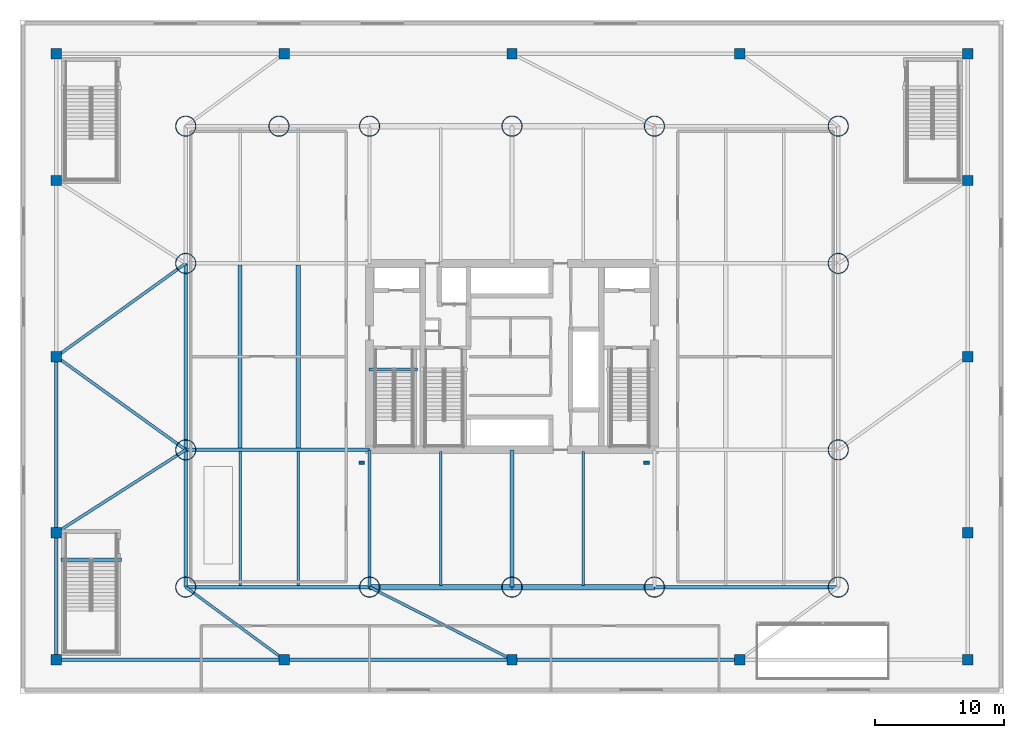
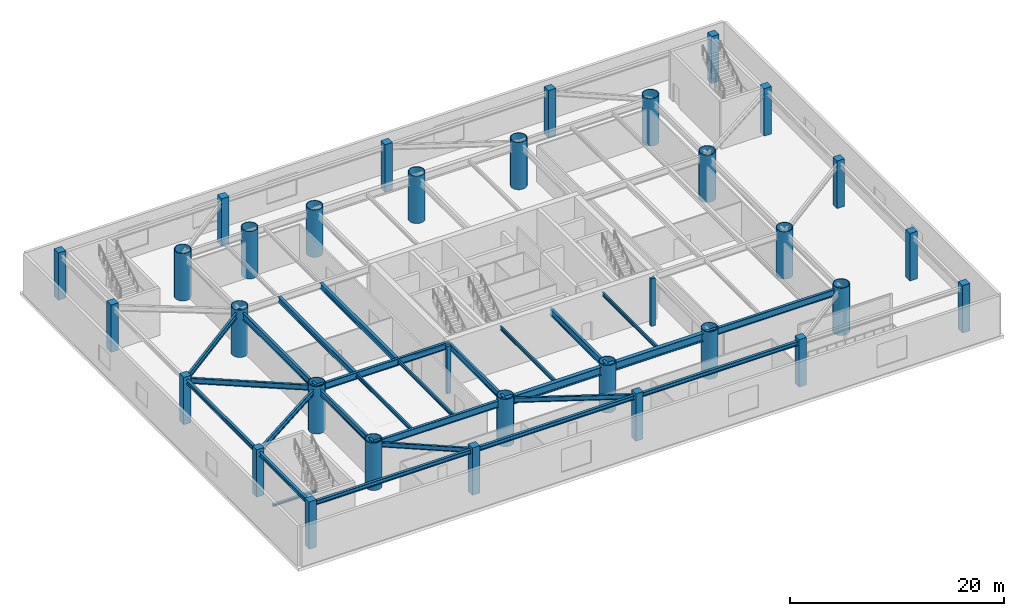
# One storey, part 1 of 16: 33 columns, 27 beams.
"""IFC4 building model written with IfcOpenShell, lengths in metres."""

from ifc_helpers import new_model, si_unit, direction, frame, origin, origin_2d, place, context, subcontext, project, spatial, rectangle, hollow_circle, i_section, extrude, material, material_profile, profile_set, type_object, element, save


model = new_model("IFC4")

# Units and contexts
model_context = context("Model", 3, precision=1e-05, world=origin(), true_north=direction((0.0, 1.0)))
body_context = subcontext(model_context, "Body", "Model", "MODEL_VIEW")
ifc_project = project(units=[si_unit("LENGTHUNIT", "METRE"), si_unit("AREAUNIT", "SQUARE_METRE"), si_unit("VOLUMEUNIT", "CUBIC_METRE"), si_unit("PLANEANGLEUNIT", "RADIAN"), si_unit("MASSUNIT", "GRAM", prefix="KILO")], contexts=[model_context])

# Site, building, storey
site_placement = place(None, origin())
site = spatial("IfcSite", under=ifc_project, at=site_placement, CompositionType="ELEMENT")
building_placement = place(site_placement, origin())
building = spatial("IfcBuilding", under=site, at=building_placement, Name="Bramvorn Convention Spire", CompositionType="ELEMENT")
storey_placement = place(building_placement, frame((0.0, 0.0, 6.60009765625)))
storey = spatial("IfcBuildingStorey", under=building, at=storey_placement, Name="L01", CompositionType="ELEMENT", Elevation=6.60009765625)

# Columns
ifc_material_1 = material(Name="Steel CSA G40.21 Grade 350 (350W)", Category="steel")
ifc_material_profile_1 = material_profile(ifc_material_1, hollow_circle(Radius=0.800048828125, WallThickness=0.06005859375, at=origin_2d()))
ifc_profile_set_1 = profile_set([ifc_material_profile_1], Name="Steel CSA G40.21 Grade 350 (350W) - CFT1600X60")
column_type_1 = type_object("IfcColumnType", Name="COL-CFT1600X60", PredefinedType="COLUMN", material=ifc_profile_set_1)
for number, where, z_axis, x_axis, name in (
    (1, (12.800048828125, 8.199951171875, 0.0), (0.0, 0.0, 1.0), (1.0, 0.0, 0.0), "L01 podium transfer mega-column PR01"),
    (2, (27.0, 8.199951171875, 0.0), (0.0, 0.0, 1.0), (1.0, 0.0, 0.0), "L01 podium transfer mega-column PR02"),
    (3, (38.0, 8.199951171875, 0.0), (0.0, 0.0, 1.0), (1.0, 0.0, 0.0), "L01 podium transfer mega-column PR13"),
    (4, (49.0, 8.199951171875, 0.0), (0.0, 0.0, 1.0), (1.0, 0.0, 0.0), "L01 podium transfer mega-column PR03"),
    (5, (63.199951171875, 8.199951171875, 0.0), (0.0, 0.0, 1.0), (1.0, 0.0, 0.0), "L01 podium transfer mega-column PR04"),
    (6, (12.800048828125, 18.800048828125, 0.0), (0.0, 0.0, 1.0), (1.0, 0.0, 0.0), "L01 podium transfer mega-column PR05"),
    (7, (63.199951171875, 18.800048828125, 0.0), (0.0, 0.0, 1.0), (1.0, 0.0, 0.0), "L01 podium transfer mega-column PR06"),
    (8, (12.800048828125, 33.199951171875, 0.0), (0.0, 0.0, 1.0), (1.0, 0.0, 0.0), "L01 podium transfer mega-column PR07"),
    (9, (63.199951171875, 33.199951171875, 0.0), (0.0, 0.0, 1.0), (1.0, 0.0, 0.0), "L01 podium transfer mega-column PR08"),
    (10, (12.800048828125, 43.800048828125, 0.0), (0.0, 0.0, 1.0), (1.0, 0.0, 0.0), "L01 podium transfer mega-column PR09"),
    (11, (20.0, 43.800048828125, 0.0), (0.0, 0.0, 1.0), (1.0, 0.0, 0.0), "L01 podium transfer mega-column PR15"),
    (12, (27.0, 43.800048828125, 0.0), (0.0, 0.0, 1.0), (1.0, 0.0, 0.0), "L01 podium transfer mega-column PR10"),
    (13, (38.0, 43.800048828125, 0.0), (0.0, 0.0, 1.0), (1.0, 0.0, 0.0), "L01 podium transfer mega-column PR14"),
    (14, (49.0, 43.800048828125, 0.0), (0.0, 0.0, 1.0), (1.0, 0.0, 0.0), "L01 podium transfer mega-column PR11"),
    (15, (63.199951171875, 43.800048828125, 0.0), (0.0, 0.0, 1.0), (1.0, 0.0, 0.0), "L01 podium transfer mega-column PR12"),
):
    element("IfcColumn", number, at=place(storey_placement, frame(where, z_axis=z_axis, x_axis=x_axis)), inside=storey, type_object=column_type_1, Name=name, PredefinedType="COLUMN", context=body_context, shape_type="SweptSolid", body=[
        extrude(hollow_circle(Radius=0.800048828125, WallThickness=0.06005859375, at=origin_2d()), origin(), (0.0, 0.0, 1.0), 5.39990234375),
    ])
ifc_material_2 = material(Name="Concrete C40/50 Precast Limestone Pilaster", Category="masonry")
ifc_material_profile_2 = material_profile(ifc_material_2, rectangle(XDim=0.449951171875, YDim=0.300048828125, at=origin_2d()))
ifc_profile_set_2 = profile_set([ifc_material_profile_2], Name="Concrete C40/50 Precast Limestone Pilaster - PILASTER450X300")
column_type_2 = type_object("IfcColumnType", Name="COL-PILASTER-450", PredefinedType="PILASTER", material=ifc_profile_set_2)
for number, where, z_axis, x_axis, name in (
    (16, (26.39990234375, 17.800048828125, 0.0), (0.0, 0.0, 1.0), (1.0, 0.0, 0.0), "L01 Foyer architectural pilaster 1"),
    (17, (48.39990234375, 17.800048828125, 0.0), (0.0, 0.0, 1.0), (1.0, 0.0, 0.0), "L01 Foyer architectural pilaster 2"),
):
    element("IfcColumn", number, at=place(storey_placement, frame(where, z_axis=z_axis, x_axis=x_axis)), inside=storey, type_object=column_type_2, Name=name, PredefinedType="PILASTER", context=body_context, shape_type="SweptSolid", body=[
        extrude(rectangle(XDim=0.449951171875, YDim=0.300048828125, at=origin_2d()), origin(), (0.0, 0.0, 1.0), 5.39990234375),
    ])
ifc_material_3 = material(Name="Concrete C60/70", Category="concrete")
ifc_material_profile_3 = material_profile(ifc_material_3, rectangle(XDim=0.800048828125, YDim=0.800048828125, at=origin_2d()))
ifc_profile_set_3 = profile_set([ifc_material_profile_3], Name="Concrete C60/70 - RC800X800")
column_type_3 = type_object("IfcColumnType", Name="COL-RC800X800", PredefinedType="COLUMN", material=ifc_profile_set_3)
for number, where, z_axis, x_axis, name in (
    (18, (2.800048828125, 2.60009765625, 0.0), (0.0, 0.0, 1.0), (1.0, 0.0, 0.0), "L01 podium perimeter column PC01"),
    (19, (2.800048828125, 12.39990234375, 0.0), (0.0, 0.0, 1.0), (1.0, 0.0, 0.0), "L01 podium perimeter column PC02"),
    (20, (2.800048828125, 26.0, 0.0), (0.0, 0.0, 1.0), (1.0, 0.0, 0.0), "L01 podium perimeter column PC03"),
    (21, (2.800048828125, 39.60009765625, 0.0), (0.0, 0.0, 1.0), (1.0, 0.0, 0.0), "L01 podium perimeter column PC04"),
    (22, (2.800048828125, 49.39990234375, 0.0), (0.0, 0.0, 1.0), (1.0, 0.0, 0.0), "L01 podium perimeter column PC05"),
    (23, (73.199951171875, 2.60009765625, 0.0), (0.0, 0.0, 1.0), (1.0, 0.0, 0.0), "L01 podium perimeter column PC06"),
    (24, (73.199951171875, 12.39990234375, 0.0), (0.0, 0.0, 1.0), (1.0, 0.0, 0.0), "L01 podium perimeter column PC07"),
    (25, (73.199951171875, 26.0, 0.0), (0.0, 0.0, 1.0), (1.0, 0.0, 0.0), "L01 podium perimeter column PC08"),
    (26, (73.199951171875, 39.60009765625, 0.0), (0.0, 0.0, 1.0), (1.0, 0.0, 0.0), "L01 podium perimeter column PC09"),
    (27, (73.199951171875, 49.39990234375, 0.0), (0.0, 0.0, 1.0), (1.0, 0.0, 0.0), "L01 podium perimeter column PC10"),
    (28, (20.39990234375, 2.60009765625, 0.0), (0.0, 0.0, 1.0), (1.0, 0.0, 0.0), "L01 podium perimeter column PC11"),
    (29, (38.0, 2.60009765625, 0.0), (0.0, 0.0, 1.0), (1.0, 0.0, 0.0), "L01 podium perimeter column PC12"),
    (30, (55.60009765625, 2.60009765625, 0.0), (0.0, 0.0, 1.0), (1.0, 0.0, 0.0), "L01 podium perimeter column PC13"),
    (31, (20.39990234375, 49.39990234375, 0.0), (0.0, 0.0, 1.0), (1.0, 0.0, 0.0), "L01 podium perimeter column PC14"),
    (32, (38.0, 49.39990234375, 0.0), (0.0, 0.0, 1.0), (1.0, 0.0, 0.0), "L01 podium perimeter column PC15"),
    (33, (55.60009765625, 49.39990234375, 0.0), (0.0, 0.0, 1.0), (1.0, 0.0, 0.0), "L01 podium perimeter column PC16"),
):
    element("IfcColumn", number, at=place(storey_placement, frame(where, z_axis=z_axis, x_axis=x_axis)), inside=storey, type_object=column_type_3, Name=name, PredefinedType="COLUMN", context=body_context, shape_type="SweptSolid", body=[
        extrude(rectangle(XDim=0.800048828125, YDim=0.800048828125, at=origin_2d()), origin(), (0.0, 0.0, 1.0), 5.39990234375),
    ])

# Beams
ifc_material_profile_4 = material_profile(ifc_material_1, i_section(OverallWidth=0.25390625, OverallDepth=0.2529296875, WebThickness=0.008544921875, FlangeThickness=0.01416015625, FilletRadius=0.011962890625, at=origin_2d()))
ifc_profile_set_4 = profile_set([ifc_material_profile_4], Name="Steel CSA G40.21 Grade 350 (350W) - W250X73")
beam_type_1 = type_object("IfcBeamType", Name="BM-W250X73", PredefinedType="BEAM", material=ifc_profile_set_4)
beam_1_placement = place(storey_placement, frame((26.949951171875, 25.010009765625, -0.126708984375), z_axis=(1.0, 0.0, 0.0), x_axis=(0.0, 1.0, 0.0)))
element("IfcBeam", 34, at=beam_1_placement, inside=storey, type_object=beam_type_1, Name="L01 ST1 stair arrival header beam", PredefinedType="BEAM", context=body_context, shape_type="SweptSolid", body=[
    extrude(i_section(OverallWidth=0.25390625, OverallDepth=0.2529296875, WebThickness=0.008544921875, FlangeThickness=0.01416015625, FilletRadius=0.011962890625, at=origin_2d()), origin(), (0.0, 0.0, 1.0), 3.739990234375),
])
beam_2_placement = place(storey_placement, frame((3.14990234375, 10.31005859375, -0.126708984375), z_axis=(1.0, 0.0, 0.0), x_axis=(0.0, 1.0, 0.0)))
element("IfcBeam", 35, at=beam_2_placement, inside=storey, type_object=beam_type_1, Name="L01 ST4 stair arrival header beam", PredefinedType="BEAM", context=body_context, shape_type="SweptSolid", body=[
    extrude(i_section(OverallWidth=0.25390625, OverallDepth=0.2529296875, WebThickness=0.008544921875, FlangeThickness=0.01416015625, FilletRadius=0.011962890625, at=origin_2d()), origin(), (0.0, 0.0, 1.0), 4.68017578125),
])
ifc_material_profile_5 = material_profile(ifc_material_1, i_section(OverallWidth=0.180908203125, OverallDepth=0.4169921875, WebThickness=0.010986328125, FlangeThickness=0.018310546875, FilletRadius=0.01611328125, at=origin_2d()))
ifc_profile_set_5 = profile_set([ifc_material_profile_5], Name="Steel CSA G40.21 Grade 350 (350W) - W410X85")
beam_type_2 = type_object("IfcBeamType", Name="BM-W410X85", PredefinedType="JOIST", material=ifc_profile_set_5)
for number, where, z_axis, x_axis, name in (
    (36, (17.0, 8.340087890625, 4.84130859375), (0.0, 1.0, 0.0), (-1.0, 0.0, 0.0), "L01 side hall joist S-1"),
    (37, (21.5, 8.340087890625, 4.84130859375), (0.0, 1.0, 0.0), (-1.0, 0.0, 0.0), "L01 side hall joist S-2"),
    (38, (32.5, 8.340087890625, 4.84130859375), (0.0, 1.0, 0.0), (-1.0, 0.0, 0.0), "L01 south hall composite joist 3"),
    (39, (43.5, 8.340087890625, 4.84130859375), (0.0, 1.0, 0.0), (-1.0, 0.0, 0.0), "L01 south hall composite joist 4"),
):
    element("IfcBeam", number, at=place(storey_placement, frame(where, z_axis=z_axis, x_axis=x_axis)), inside=storey, type_object=beam_type_2, Name=name, PredefinedType="JOIST", context=body_context, shape_type="SweptSolid", body=[
        extrude(i_section(OverallWidth=0.180908203125, OverallDepth=0.4169921875, WebThickness=0.010986328125, FlangeThickness=0.018310546875, FilletRadius=0.01611328125, at=origin_2d()), origin(), (0.0, 0.0, 1.0), 10.31982421875),
    ])
ifc_material_profile_6 = material_profile(ifc_material_1, i_section(OverallWidth=0.283935546875, OverallDepth=0.47607421875, WebThickness=0.014892578125, FlangeThickness=0.02392578125, FilletRadius=0.01806640625, at=origin_2d()))
ifc_profile_set_6 = profile_set([ifc_material_profile_6], Name="Steel CSA G40.21 Grade 350 (350W) - W460X158")
beam_type_3 = type_object("IfcBeamType", Name="BM-W460X158", PredefinedType="SPANDREL", material=ifc_profile_set_6)
beam_3_placement = place(storey_placement, frame((2.800048828125, 2.60009765625, 4.81201171875), z_axis=(1.0, 0.0, 0.0), x_axis=(0.0, 1.0, 0.0)))
element("IfcBeam", 40, at=beam_3_placement, inside=storey, type_object=beam_type_3, Name="L01 podium spandrel beam 01", PredefinedType="SPANDREL", context=body_context, shape_type="SweptSolid", body=[
    extrude(i_section(OverallWidth=0.283935546875, OverallDepth=0.47607421875, WebThickness=0.014892578125, FlangeThickness=0.02392578125, FilletRadius=0.01806640625, at=origin_2d()), origin(), (0.0, 0.0, 1.0), 17.599853515625),
])
for number, where, z_axis, x_axis, name in (
    (41, (20.39990234375, 2.60009765625, 4.81201171875), (1.0, 0.0, 0.0), (0.0, 1.0, 0.0), "L01 podium spandrel beam 02"),
    (42, (38.0, 2.60009765625, 4.81201171875), (1.0, 0.0, 0.0), (0.0, 1.0, 0.0), "L01 podium spandrel beam 03"),
):
    element("IfcBeam", number, at=place(storey_placement, frame(where, z_axis=z_axis, x_axis=x_axis)), inside=storey, type_object=beam_type_3, Name=name, PredefinedType="SPANDREL", context=body_context, shape_type="SweptSolid", body=[
        extrude(i_section(OverallWidth=0.283935546875, OverallDepth=0.47607421875, WebThickness=0.014892578125, FlangeThickness=0.02392578125, FilletRadius=0.01806640625, at=origin_2d()), origin(), (0.0, 0.0, 1.0), 17.60009765625),
    ])
beam_4_placement = place(storey_placement, frame((2.800048828125, 26.0, 4.81201171875), z_axis=(0.0, -1.0, 0.0), x_axis=(1.0, 0.0, 0.0)))
element("IfcBeam", 43, at=beam_4_placement, inside=storey, type_object=beam_type_3, Name="L01 podium spandrel beam 15", PredefinedType="SPANDREL", context=body_context, shape_type="SweptSolid", body=[
    extrude(i_section(OverallWidth=0.283935546875, OverallDepth=0.47607421875, WebThickness=0.014892578125, FlangeThickness=0.02392578125, FilletRadius=0.01806640625, at=origin_2d()), origin(), (0.0, 0.0, 1.0), 13.60009765625),
])
beam_5_placement = place(storey_placement, frame((2.800048828125, 12.39990234375, 4.81201171875), z_axis=(0.0, -1.0, 0.0), x_axis=(1.0, 0.0, 0.0)))
element("IfcBeam", 44, at=beam_5_placement, inside=storey, type_object=beam_type_3, Name="L01 podium spandrel beam 16", PredefinedType="SPANDREL", context=body_context, shape_type="SweptSolid", body=[
    extrude(i_section(OverallWidth=0.283935546875, OverallDepth=0.47607421875, WebThickness=0.014892578125, FlangeThickness=0.02392578125, FilletRadius=0.01806640625, at=origin_2d()), origin(), (0.0, 0.0, 1.0), 9.7998046875),
])
ifc_material_profile_7 = material_profile(ifc_material_1, i_section(OverallWidth=0.2119140625, OverallDepth=0.5439453125, WebThickness=0.01318359375, FlangeThickness=0.021240234375, FilletRadius=0.01904296875, at=origin_2d()))
ifc_profile_set_7 = profile_set([ifc_material_profile_7], Name="Steel CSA G40.21 Grade 350 (350W) - W530X123")
beam_type_4 = type_object("IfcBeamType", Name="BM-W530X123", PredefinedType="BEAM", material=ifc_profile_set_7)
beam_6_placement = place(storey_placement, frame((20.39990234375, 2.60009765625, 4.77783203125), z_axis=(-0.805057787445, 0.593196391488, 0.0), x_axis=(-0.593196391488, -0.805057787445, 0.0)))
element("IfcBeam", 45, at=beam_6_placement, inside=storey, type_object=beam_type_4, Name="L01 podium primary girder 28", PredefinedType="BEAM", context=body_context, shape_type="SweptSolid", body=[
    extrude(i_section(OverallWidth=0.2119140625, OverallDepth=0.5439453125, WebThickness=0.01318359375, FlangeThickness=0.021240234375, FilletRadius=0.01904296875, at=origin_2d()), origin(), (0.0, 0.0, 1.0), 9.440185546875),
])
beam_7_placement = place(storey_placement, frame((38.0, 2.60009765625, 4.77783203125), z_axis=(-0.891167913636, 0.453673615835, 0.0), x_axis=(-0.453673615835, -0.891167913636, 0.0)))
element("IfcBeam", 46, at=beam_7_placement, inside=storey, type_object=beam_type_4, Name="L01 podium primary girder 29", PredefinedType="BEAM", context=body_context, shape_type="SweptSolid", body=[
    extrude(i_section(OverallWidth=0.2119140625, OverallDepth=0.5439453125, WebThickness=0.01318359375, FlangeThickness=0.021240234375, FilletRadius=0.01904296875, at=origin_2d()), origin(), (0.0, 0.0, 1.0), 12.34326171875),
])
ifc_material_profile_8 = material_profile(ifc_material_1, i_section(OverallWidth=0.22998046875, OverallDepth=0.616943359375, WebThickness=0.01318359375, FlangeThickness=0.022216796875, FilletRadius=0.02001953125, at=origin_2d()))
ifc_profile_set_8 = profile_set([ifc_material_profile_8], Name="Steel CSA G40.21 Grade 350 (350W) - W610X140")
beam_type_5 = type_object("IfcBeamType", Name="BM-W610X140", PredefinedType="BEAM", material=ifc_profile_set_8)
for number, where, z_axis, x_axis, name in (
    (47, (2.800048828125, 26.0, 4.741455078125), (0.811536220436, -0.584302116135, 0.0), (0.584302116135, 0.811536220436, 0.0), "L01 podium primary girder 26"),
    (48, (2.800048828125, 26.0, 4.741455078125), (0.811536220436, 0.584302116135, 0.0), (-0.584302116135, 0.811536220436, 0.0), "L01 podium primary girder 27"),
):
    element("IfcBeam", number, at=place(storey_placement, frame(where, z_axis=z_axis, x_axis=x_axis)), inside=storey, type_object=beam_type_5, Name=name, PredefinedType="BEAM", context=body_context, shape_type="SweptSolid", body=[
        extrude(i_section(OverallWidth=0.22998046875, OverallDepth=0.616943359375, WebThickness=0.01318359375, FlangeThickness=0.022216796875, FilletRadius=0.02001953125, at=origin_2d()), origin(), (0.0, 0.0, 1.0), 12.322265625),
    ])
beam_8_placement = place(storey_placement, frame((2.800048828125, 12.39990234375, 4.741455078125), z_axis=(0.842265798855, 0.539062449145, 0.0), x_axis=(-0.539062449145, 0.842265798855, 0.0)))
element("IfcBeam", 49, at=beam_8_placement, inside=storey, type_object=beam_type_5, Name="L01 west podium tie girder 1", PredefinedType="BEAM", context=body_context, shape_type="SweptSolid", body=[
    extrude(i_section(OverallWidth=0.22998046875, OverallDepth=0.616943359375, WebThickness=0.01318359375, FlangeThickness=0.022216796875, FilletRadius=0.02001953125, at=origin_2d()), origin(), (0.0, 0.0, 1.0), 11.872802734375),
])
ifc_material_profile_9 = material_profile(ifc_material_1, i_section(OverallWidth=0.327880859375, OverallDepth=0.6279296875, WebThickness=0.0166015625, FlangeThickness=0.027587890625, FilletRadius=0.02001953125, at=origin_2d()))
ifc_profile_set_9 = profile_set([ifc_material_profile_9], Name="Steel CSA G40.21 Grade 350 (350W) - W610X217")
beam_type_6 = type_object("IfcBeamType", Name="BM-W610X217", PredefinedType="BEAM", material=ifc_profile_set_9)
for number, where, z_axis, x_axis, name in (
    (50, (17.0, 18.93994140625, 4.73583984375), (0.0, 1.0, 0.0), (-1.0, 0.0, 0.0), "L01 main exhibition clear-span joist M-1"),
    (51, (21.5, 18.93994140625, 4.73583984375), (0.0, 1.0, 0.0), (-1.0, 0.0, 0.0), "L01 main exhibition clear-span joist M-2"),
):
    element("IfcBeam", number, at=place(storey_placement, frame(where, z_axis=z_axis, x_axis=x_axis)), inside=storey, type_object=beam_type_6, Name=name, PredefinedType="BEAM", context=body_context, shape_type="SweptSolid", body=[
        extrude(i_section(OverallWidth=0.327880859375, OverallDepth=0.6279296875, WebThickness=0.0166015625, FlangeThickness=0.027587890625, FilletRadius=0.02001953125, at=origin_2d()), origin(), (0.0, 0.0, 1.0), 14.1201171875),
    ])
ifc_material_profile_10 = material_profile(ifc_material_1, i_section(OverallWidth=0.256103515625, OverallDepth=0.693115234375, WebThickness=0.014404296875, FlangeThickness=0.023681640625, FilletRadius=0.02197265625, at=origin_2d()))
ifc_profile_set_10 = profile_set([ifc_material_profile_10], Name="Steel CSA G40.21 Grade 350 (350W) - W690X170")
beam_type_7 = type_object("IfcBeamType", Name="BM-W690X170", PredefinedType="BEAM", material=ifc_profile_set_10)
for number, where, z_axis, x_axis, name in (
    (52, (12.800048828125, 8.199951171875, 4.703369140625), (0.0, 1.0, 0.0), (-1.0, 0.0, 0.0), "L01 podium primary girder 12"),
    (53, (27.0, 8.199951171875, 4.703369140625), (0.0, 1.0, 0.0), (-1.0, 0.0, 0.0), "L01 podium primary girder 22"),
):
    element("IfcBeam", number, at=place(storey_placement, frame(where, z_axis=z_axis, x_axis=x_axis)), inside=storey, type_object=beam_type_7, Name=name, PredefinedType="BEAM", context=body_context, shape_type="SweptSolid", body=[
        extrude(i_section(OverallWidth=0.256103515625, OverallDepth=0.693115234375, WebThickness=0.014404296875, FlangeThickness=0.023681640625, FilletRadius=0.02197265625, at=origin_2d()), origin(), (0.0, 0.0, 1.0), 10.60009765625),
    ])
ifc_material_profile_11 = material_profile(ifc_material_1, i_section(OverallWidth=0.27099609375, OverallDepth=0.76806640625, WebThickness=0.0166015625, FlangeThickness=0.02685546875, FilletRadius=0.02197265625, at=origin_2d()))
ifc_profile_set_11 = profile_set([ifc_material_profile_11], Name="Steel CSA G40.21 Grade 350 (350W) - W760X220")
beam_type_8 = type_object("IfcBeamType", Name="BM-W760X220", PredefinedType="BEAM", material=ifc_profile_set_11)
for number, where, z_axis, x_axis, name in (
    (54, (12.800048828125, 8.199951171875, 4.666015625), (1.0, 0.0, 0.0), (0.0, 1.0, 0.0), "L01 podium primary girder 01"),
    (55, (49.0, 8.199951171875, 4.666015625), (1.0, 0.0, 0.0), (0.0, 1.0, 0.0), "L01 podium primary girder 04"),
):
    element("IfcBeam", number, at=place(storey_placement, frame(where, z_axis=z_axis, x_axis=x_axis)), inside=storey, type_object=beam_type_8, Name=name, PredefinedType="BEAM", context=body_context, shape_type="SweptSolid", body=[
        extrude(i_section(OverallWidth=0.27099609375, OverallDepth=0.76806640625, WebThickness=0.0166015625, FlangeThickness=0.02685546875, FilletRadius=0.02197265625, at=origin_2d()), origin(), (0.0, 0.0, 1.0), 14.199951171875),
    ])
beam_9_placement = place(storey_placement, frame((38.0, 8.199951171875, 4.666015625), z_axis=(0.0, 1.0, 0.0), x_axis=(-1.0, 0.0, 0.0)))
element("IfcBeam", 56, at=beam_9_placement, inside=storey, type_object=beam_type_8, Name="L01 podium primary girder 09", PredefinedType="BEAM", context=body_context, shape_type="SweptSolid", body=[
    extrude(i_section(OverallWidth=0.27099609375, OverallDepth=0.76806640625, WebThickness=0.0166015625, FlangeThickness=0.02685546875, FilletRadius=0.02197265625, at=origin_2d()), origin(), (0.0, 0.0, 1.0), 10.60009765625),
])
beam_10_placement = place(storey_placement, frame((12.800048828125, 18.800048828125, 4.666015625), z_axis=(0.0, 1.0, 0.0), x_axis=(-1.0, 0.0, 0.0)))
element("IfcBeam", 57, at=beam_10_placement, inside=storey, type_object=beam_type_8, Name="L01 podium primary girder 13", PredefinedType="BEAM", context=body_context, shape_type="SweptSolid", body=[
    extrude(i_section(OverallWidth=0.27099609375, OverallDepth=0.76806640625, WebThickness=0.0166015625, FlangeThickness=0.02685546875, FilletRadius=0.02197265625, at=origin_2d()), origin(), (0.0, 0.0, 1.0), 14.39990234375),
])
beam_11_placement = place(storey_placement, frame((12.800048828125, 18.800048828125, 4.666015625), z_axis=(1.0, 0.0, 0.0), x_axis=(0.0, 1.0, 0.0)))
element("IfcBeam", 58, at=beam_11_placement, inside=storey, type_object=beam_type_8, Name="L01 podium primary girder 18", PredefinedType="BEAM", context=body_context, shape_type="SweptSolid", body=[
    extrude(i_section(OverallWidth=0.27099609375, OverallDepth=0.76806640625, WebThickness=0.0166015625, FlangeThickness=0.02685546875, FilletRadius=0.02197265625, at=origin_2d()), origin(), (0.0, 0.0, 1.0), 14.199951171875),
])
ifc_material_profile_12 = material_profile(ifc_material_1, i_section(OverallWidth=0.41796875, OverallDepth=0.912109375, WebThickness=0.019287109375, FlangeThickness=0.031982421875, FilletRadius=0.02392578125, at=origin_2d()))
ifc_profile_set_12 = profile_set([ifc_material_profile_12], Name="Steel CSA G40.21 Grade 350 (350W) - W920X342")
beam_type_9 = type_object("IfcBeamType", Name="BM-W920X342", PredefinedType="BEAM", material=ifc_profile_set_12)
for number, where, z_axis, x_axis, name in (
    (59, (27.0, 8.199951171875, 4.593994140625), (1.0, 0.0, 0.0), (0.0, 1.0, 0.0), "L01 podium primary girder 02"),
    (60, (38.0, 8.199951171875, 4.593994140625), (1.0, 0.0, 0.0), (0.0, 1.0, 0.0), "L01 podium primary girder 03"),
):
    element("IfcBeam", number, at=place(storey_placement, frame(where, z_axis=z_axis, x_axis=x_axis)), inside=storey, type_object=beam_type_9, Name=name, PredefinedType="BEAM", context=body_context, shape_type="SweptSolid", body=[
        extrude(i_section(OverallWidth=0.41796875, OverallDepth=0.912109375, WebThickness=0.019287109375, FlangeThickness=0.031982421875, FilletRadius=0.02392578125, at=origin_2d()), origin(), (0.0, 0.0, 1.0), 11.0),
    ])

save(model, "model.ifc")
